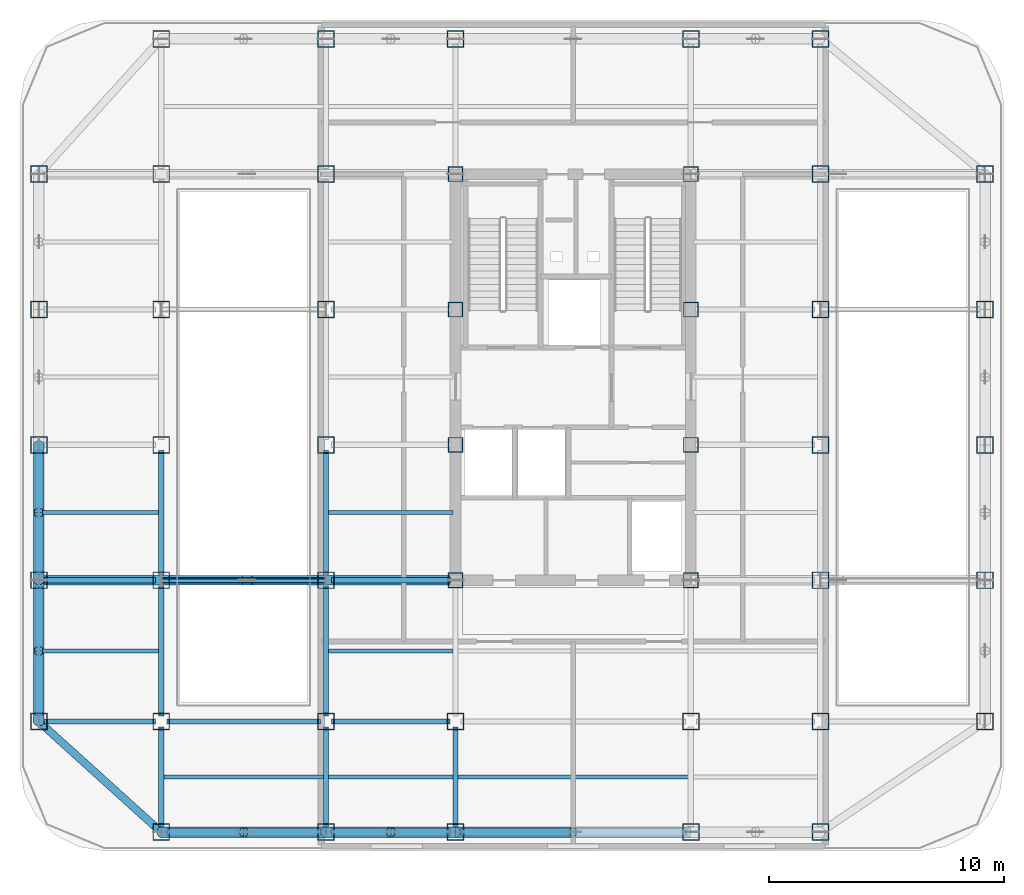
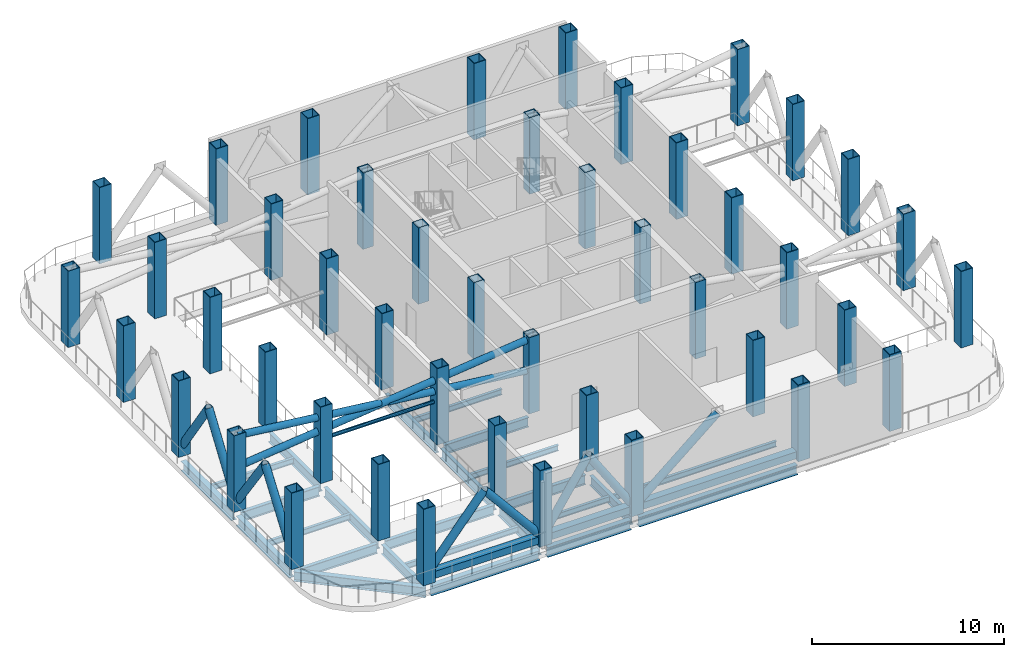
# One storey, part 1 of 10: 45 columns, 25 beams, 16 members.
"""IFC4 building model written with IfcOpenShell, lengths in metres."""

from ifc_helpers import new_model, si_unit, direction, frame, origin, origin_2d, place, context, subcontext, project, spatial, hollow_rectangle, hollow_circle, i_section, extrude, source, transform, mapped, material, material_profile, profile_set, type_object, element, save


model = new_model("IFC4")

# Units and contexts
model_context = context("Model", 3, precision=1e-05, world=origin(), true_north=direction((0.0, 1.0)))
body_context = subcontext(model_context, "Body", "Model", "MODEL_VIEW")
ifc_project = project(units=[si_unit("LENGTHUNIT", "METRE"), si_unit("AREAUNIT", "SQUARE_METRE"), si_unit("VOLUMEUNIT", "CUBIC_METRE"), si_unit("PLANEANGLEUNIT", "RADIAN"), si_unit("MASSUNIT", "GRAM", prefix="KILO")], contexts=[model_context])

# Site, building, storey
site_placement = place(None, origin())
site = spatial("IfcSite", under=ifc_project, at=site_placement, CompositionType="ELEMENT")
building_placement = place(site_placement, origin())
building = spatial("IfcBuilding", under=site, at=building_placement, Name="Kolveth Station Tower", CompositionType="ELEMENT")
storey_placement = place(building_placement, frame((0.0, 0.0, 188.10009765625)))
storey = spatial("IfcBuildingStorey", under=building, at=storey_placement, Name="L53", CompositionType="ELEMENT", Elevation=188.10009765625)

# Columns
ifc_material_1 = material(Name="Steel S355", Category="steel")
ifc_material_profile_1 = material_profile(ifc_material_1, hollow_rectangle(XDim=0.719970703125, YDim=0.719970703125, WallThickness=0.0400390625, at=origin_2d()), Name="BOX720x720x40")
ifc_profile_set_1 = profile_set([ifc_material_profile_1], Name="Steel S355")
column_type_1 = type_object("IfcColumnType", Name="Col_C6", PredefinedType="COLUMN", material=ifc_profile_set_1)
shared_shape_1 = source(origin(), body_context, "Body", "SweptSolid", [
    extrude(hollow_rectangle(XDim=0.719970703125, YDim=0.719970703125, WallThickness=0.0400390625, at=origin_2d()), origin(), (0.0, 0.0, 1.0), 4.849853515625),
])
for number, where, z_axis, x_axis, name in (
    (1, (6.0, 0.800048828125, 0.0), (0.0, 0.0, 1.0), (1.0, 0.0, 0.0), "L53 Tower Column S-X60"),
    (2, (6.0, 34.5, 0.0), (0.0, 0.0, 1.0), (1.0, 0.0, 0.0), "L53 Tower Column N-X60"),
    (3, (13.0, 0.800048828125, 0.0), (0.0, 0.0, 1.0), (1.0, 0.0, 0.0), "L53 Tower Column S-X130"),
    (4, (13.0, 34.5, 0.0), (0.0, 0.0, 1.0), (1.0, 0.0, 0.0), "L53 Tower Column N-X130"),
    (5, (18.5, 0.800048828125, 0.0), (0.0, 0.0, 1.0), (1.0, 0.0, 0.0), "L53 Tower Column S-X185"),
    (6, (18.5, 34.5, 0.0), (0.0, 0.0, 1.0), (1.0, 0.0, 0.0), "L53 Tower Column N-X185"),
    (7, (28.5, 0.800048828125, 0.0), (0.0, 0.0, 1.0), (1.0, 0.0, 0.0), "L53 Tower Column S-X285"),
    (8, (28.5, 34.5, 0.0), (0.0, 0.0, 1.0), (1.0, 0.0, 0.0), "L53 Tower Column N-X285"),
    (9, (34.0, 0.800048828125, 0.0), (0.0, 0.0, 1.0), (1.0, 0.0, 0.0), "L53 Tower Column S-X340"),
    (10, (34.0, 34.5, 0.0), (0.0, 0.0, 1.0), (1.0, 0.0, 0.0), "L53 Tower Column N-X340"),
    (11, (0.800048828125, 5.5, 0.0), (0.0, 0.0, 1.0), (1.0, 0.0, 0.0), "L53 Tower Column W-Y55"),
    (12, (41.0, 5.5, 0.0), (0.0, 0.0, 1.0), (1.0, 0.0, 0.0), "L53 Tower Column E-Y55"),
    (13, (0.800048828125, 11.5, 0.0), (0.0, 0.0, 1.0), (1.0, 0.0, 0.0), "L53 Tower Column W-Y115"),
    (14, (41.0, 11.5, 0.0), (0.0, 0.0, 1.0), (1.0, 0.0, 0.0), "L53 Tower Column E-Y115"),
    (15, (0.800048828125, 17.25, 0.0), (0.0, 0.0, 1.0), (1.0, 0.0, 0.0), "L53 Tower Column W-Y172"),
    (16, (41.0, 17.25, 0.0), (0.0, 0.0, 1.0), (1.0, 0.0, 0.0), "L53 Tower Column E-Y172"),
    (17, (0.800048828125, 23.0, 0.0), (0.0, 0.0, 1.0), (1.0, 0.0, 0.0), "L53 Tower Column W-Y230"),
    (18, (41.0, 23.0, 0.0), (0.0, 0.0, 1.0), (1.0, 0.0, 0.0), "L53 Tower Column E-Y230"),
    (19, (0.800048828125, 28.75, 0.0), (0.0, 0.0, 1.0), (1.0, 0.0, 0.0), "L53 Tower Column W-Y287"),
    (20, (41.0, 28.75, 0.0), (0.0, 0.0, 1.0), (1.0, 0.0, 0.0), "L53 Tower Column E-Y287"),
    (21, (6.0, 5.5, 0.0), (0.0, 0.0, 1.0), (1.0, 0.0, 0.0), "L53 Tower Column G-60-55"),
    (22, (6.0, 11.5, 0.0), (0.0, 0.0, 1.0), (1.0, 0.0, 0.0), "L53 Tower Column G-60-115"),
    (23, (6.0, 17.25, 0.0), (0.0, 0.0, 1.0), (1.0, 0.0, 0.0), "L53 Tower Column G-60-172"),
    (24, (6.0, 23.0, 0.0), (0.0, 0.0, 1.0), (1.0, 0.0, 0.0), "L53 Tower Column G-60-230"),
    (25, (6.0, 28.75, 0.0), (0.0, 0.0, 1.0), (1.0, 0.0, 0.0), "L53 Tower Column G-60-287"),
    (26, (13.0, 5.5, 0.0), (0.0, 0.0, 1.0), (1.0, 0.0, 0.0), "L53 Tower Column G-130-55"),
    (27, (13.0, 11.5, 0.0), (0.0, 0.0, 1.0), (1.0, 0.0, 0.0), "L53 Tower Column G-130-115"),
    (28, (13.0, 17.25, 0.0), (0.0, 0.0, 1.0), (1.0, 0.0, 0.0), "L53 Tower Column G-130-172"),
    (29, (13.0, 23.0, 0.0), (0.0, 0.0, 1.0), (1.0, 0.0, 0.0), "L53 Tower Column G-130-230"),
    (30, (13.0, 28.75, 0.0), (0.0, 0.0, 1.0), (1.0, 0.0, 0.0), "L53 Tower Column G-130-287"),
    (31, (18.5, 5.5, 0.0), (0.0, 0.0, 1.0), (1.0, 0.0, 0.0), "L53 Tower Column G-185-55"),
    (32, (28.5, 5.5, 0.0), (0.0, 0.0, 1.0), (1.0, 0.0, 0.0), "L53 Tower Column G-285-55"),
    (33, (34.0, 5.5, 0.0), (0.0, 0.0, 1.0), (1.0, 0.0, 0.0), "L53 Tower Column G-340-55"),
    (34, (34.0, 11.5, 0.0), (0.0, 0.0, 1.0), (1.0, 0.0, 0.0), "L53 Tower Column G-340-115"),
    (35, (34.0, 17.25, 0.0), (0.0, 0.0, 1.0), (1.0, 0.0, 0.0), "L53 Tower Column G-340-172"),
    (36, (34.0, 23.0, 0.0), (0.0, 0.0, 1.0), (1.0, 0.0, 0.0), "L53 Tower Column G-340-230"),
    (37, (34.0, 28.75, 0.0), (0.0, 0.0, 1.0), (1.0, 0.0, 0.0), "L53 Tower Column G-340-287"),
):
    element("IfcColumn", number, at=place(storey_placement, frame(where, z_axis=z_axis, x_axis=x_axis)), inside=storey, type_object=column_type_1, Name=name, PredefinedType="COLUMN", context=body_context, shape_type="MappedRepresentation", body=[
        mapped(shared_shape_1, transform((0.0, 0.0, 0.0), x_axis=(1.0, 0.0, 0.0), y_axis=(0.0, 1.0, 0.0), z_axis=(0.0, 0.0, 1.0), scale=1.0)),
    ])
ifc_material_profile_2 = material_profile(ifc_material_1, hollow_rectangle(XDim=0.639892578125, YDim=0.639892578125, WallThickness=0.034912109375, at=origin_2d()), Name="BOX640x640x35")
ifc_profile_set_2 = profile_set([ifc_material_profile_2], Name="Steel S355")
column_type_2 = type_object("IfcColumnType", Name="Col_C7", PredefinedType="COLUMN", material=ifc_profile_set_2)
shared_shape_2 = source(origin(), body_context, "Body", "SweptSolid", [
    extrude(hollow_rectangle(XDim=0.639892578125, YDim=0.639892578125, WallThickness=0.034912109375, at=origin_2d()), origin(), (0.0, 0.0, 1.0), 4.849853515625),
])
for number, where, z_axis, x_axis, name in (
    (38, (18.5, 11.5, 0.0), (0.0, 0.0, 1.0), (1.0, 0.0, 0.0), "L53 Tower Column G-185-115"),
    (39, (18.5, 17.25, 0.0), (0.0, 0.0, 1.0), (1.0, 0.0, 0.0), "L53 Tower Column G-185-172"),
    (40, (18.5, 23.0, 0.0), (0.0, 0.0, 1.0), (1.0, 0.0, 0.0), "L53 Tower Column G-185-230"),
    (41, (18.5, 28.75, 0.0), (0.0, 0.0, 1.0), (1.0, 0.0, 0.0), "L53 Tower Column G-185-287"),
    (42, (28.5, 11.5, 0.0), (0.0, 0.0, 1.0), (1.0, 0.0, 0.0), "L53 Tower Column G-285-115"),
    (43, (28.5, 17.25, 0.0), (0.0, 0.0, 1.0), (1.0, 0.0, 0.0), "L53 Tower Column G-285-172"),
    (44, (28.5, 23.0, 0.0), (0.0, 0.0, 1.0), (1.0, 0.0, 0.0), "L53 Tower Column G-285-230"),
    (45, (28.5, 28.75, 0.0), (0.0, 0.0, 1.0), (1.0, 0.0, 0.0), "L53 Tower Column G-285-287"),
):
    element("IfcColumn", number, at=place(storey_placement, frame(where, z_axis=z_axis, x_axis=x_axis)), inside=storey, type_object=column_type_2, Name=name, PredefinedType="COLUMN", context=body_context, shape_type="MappedRepresentation", body=[
        mapped(shared_shape_2, transform((0.0, 0.0, 0.0), x_axis=(1.0, 0.0, 0.0), y_axis=(0.0, 1.0, 0.0), z_axis=(0.0, 0.0, 1.0), scale=1.0)),
    ])

# Beams
ifc_material_profile_3 = material_profile(ifc_material_1, i_section(OverallWidth=0.323974609375, OverallDepth=0.611083984375, WebThickness=0.0126953125, FlangeThickness=0.01904296875, at=origin_2d()), Name="W610x155")
ifc_profile_set_3 = profile_set([ifc_material_profile_3], Name="Steel S355")
beam_type_1 = type_object("IfcBeamType", Name="Beam_SP2", PredefinedType="SPANDREL", material=ifc_profile_set_3)
shared_shape_3 = source(origin(), body_context, "Body", "SweptSolid", [
    extrude(i_section(OverallWidth=0.323974609375, OverallDepth=0.611083984375, WebThickness=0.0126953125, FlangeThickness=0.01904296875, at=origin_2d()), origin(), (0.0, 0.0, 1.0), 7.00927734375),
])
beam_1_placement = place(storey_placement, frame((0.800048828125, 5.5, -0.66552734375), z_axis=(0.741874009795, -0.670539300557, 0.0), x_axis=(0.670539300557, 0.741874009795, 0.0)))
element("IfcBeam", 46, at=beam_1_placement, inside=storey, type_object=beam_type_1, Name="L53 Corner Edge Girder BM-L53-CNR-SW", PredefinedType="SPANDREL", context=body_context, shape_type="MappedRepresentation", body=[
    mapped(shared_shape_3, transform((0.0, 0.0, 0.0), x_axis=(1.0, 0.0, 0.0), y_axis=(0.0, 1.0, 0.0), z_axis=(0.0, 0.0, 1.0), scale=1.0)),
])
shared_shape_4 = source(origin(), body_context, "Body", "SweptSolid", [
    extrude(i_section(OverallWidth=0.323974609375, OverallDepth=0.611083984375, WebThickness=0.0126953125, FlangeThickness=0.01904296875, at=origin_2d()), origin(), (0.0, 0.0, 1.0), 6.52001953125),
])
beam_2_placement = place(storey_placement, frame((6.239990234375, 0.800048828125, -0.66552734375), z_axis=(1.0, 0.0, 0.0), x_axis=(0.0, 1.0, 0.0)))
element("IfcBeam", 47, at=beam_2_placement, inside=storey, type_object=beam_type_1, Name="L53 Perimeter Spandrel BM-L53-PS-1", PredefinedType="SPANDREL", context=body_context, shape_type="MappedRepresentation", body=[
    mapped(shared_shape_4, transform((0.0, 0.0, 0.0), x_axis=(1.0, 0.0, 0.0), y_axis=(0.0, 1.0, 0.0), z_axis=(0.0, 0.0, 1.0), scale=1.0)),
])
shared_shape_5 = source(origin(), body_context, "Body", "SweptSolid", [
    extrude(i_section(OverallWidth=0.323974609375, OverallDepth=0.611083984375, WebThickness=0.0126953125, FlangeThickness=0.01904296875, at=origin_2d()), origin(), (0.0, 0.0, 1.0), 5.02001953125),
])
beam_3_placement = place(storey_placement, frame((13.239990234375, 0.800048828125, -0.66552734375), z_axis=(1.0, 0.0, 0.0), x_axis=(0.0, 1.0, 0.0)))
element("IfcBeam", 48, at=beam_3_placement, inside=storey, type_object=beam_type_1, Name="L53 Perimeter Spandrel BM-L53-PS-2", PredefinedType="SPANDREL", context=body_context, shape_type="MappedRepresentation", body=[
    mapped(shared_shape_5, transform((0.0, 0.0, 0.0), x_axis=(1.0, 0.0, 0.0), y_axis=(0.0, 1.0, 0.0), z_axis=(0.0, 0.0, 1.0), scale=1.0)),
])
shared_shape_6 = source(origin(), body_context, "Body", "SweptSolid", [
    extrude(i_section(OverallWidth=0.323974609375, OverallDepth=0.611083984375, WebThickness=0.0126953125, FlangeThickness=0.01904296875, at=origin_2d()), origin(), (0.0, 0.0, 1.0), 9.52001953125),
])
beam_4_placement = place(storey_placement, frame((18.739990234375, 0.800048828125, -0.66552734375), z_axis=(1.0, 0.0, 0.0), x_axis=(0.0, 1.0, 0.0)))
element("IfcBeam", 49, at=beam_4_placement, inside=storey, type_object=beam_type_1, Name="L53 Perimeter Spandrel BM-L53-PS-3", PredefinedType="SPANDREL", context=body_context, shape_type="MappedRepresentation", body=[
    mapped(shared_shape_6, transform((0.0, 0.0, 0.0), x_axis=(1.0, 0.0, 0.0), y_axis=(0.0, 1.0, 0.0), z_axis=(0.0, 0.0, 1.0), scale=1.0)),
])
shared_shape_7 = source(origin(), body_context, "Body", "SweptSolid", [
    extrude(i_section(OverallWidth=0.323974609375, OverallDepth=0.611083984375, WebThickness=0.0126953125, FlangeThickness=0.01904296875, at=origin_2d()), origin(), (0.0, 0.0, 1.0), 5.52001953125),
])
beam_5_placement = place(storey_placement, frame((0.800048828125, 5.739990234375, -0.66552734375), z_axis=(0.0, 1.0, 0.0), x_axis=(-1.0, 0.0, 0.0)))
element("IfcBeam", 50, at=beam_5_placement, inside=storey, type_object=beam_type_1, Name="L53 Perimeter Spandrel BM-L53-PW-1", PredefinedType="SPANDREL", context=body_context, shape_type="MappedRepresentation", body=[
    mapped(shared_shape_7, transform((0.0, 0.0, 0.0), x_axis=(1.0, 0.0, 0.0), y_axis=(0.0, 1.0, 0.0), z_axis=(0.0, 0.0, 1.0), scale=1.0)),
])
shared_shape_8 = source(origin(), body_context, "Body", "SweptSolid", [
    extrude(i_section(OverallWidth=0.323974609375, OverallDepth=0.611083984375, WebThickness=0.0126953125, FlangeThickness=0.01904296875, at=origin_2d()), origin(), (0.0, 0.0, 1.0), 5.27001953125),
])
beam_6_placement = place(storey_placement, frame((0.800048828125, 11.739990234375, -0.66552734375), z_axis=(0.0, 1.0, 0.0), x_axis=(-1.0, 0.0, 0.0)))
element("IfcBeam", 51, at=beam_6_placement, inside=storey, type_object=beam_type_1, Name="L53 Perimeter Spandrel BM-L53-PW-2", PredefinedType="SPANDREL", context=body_context, shape_type="MappedRepresentation", body=[
    mapped(shared_shape_8, transform((0.0, 0.0, 0.0), x_axis=(1.0, 0.0, 0.0), y_axis=(0.0, 1.0, 0.0), z_axis=(0.0, 0.0, 1.0), scale=1.0)),
])
ifc_material_profile_4 = material_profile(ifc_material_1, i_section(OverallWidth=0.22900390625, OverallDepth=0.612060546875, WebThickness=0.011962890625, FlangeThickness=0.01953125, at=origin_2d()), Name="W610x125")
ifc_profile_set_4 = profile_set([ifc_material_profile_4], Name="Steel S355")
beam_type_2 = type_object("IfcBeamType", Name="Beam_B5", PredefinedType="BEAM", material=ifc_profile_set_4)
shared_shape_9 = source(origin(), body_context, "Body", "SweptSolid", [
    extrude(i_section(OverallWidth=0.22900390625, OverallDepth=0.612060546875, WebThickness=0.011962890625, FlangeThickness=0.01953125, at=origin_2d()), origin(), (0.0, 0.0, 1.0), 4.719970703125),
])
for number, where, z_axis, x_axis, name in (
    (52, (1.0400390625, 5.5, -0.666015625), (1.0, 0.0, 0.0), (0.0, 1.0, 0.0), "L53 Primary Girder BM-L53-GY55-1"),
    (53, (1.0400390625, 11.5, -0.666015625), (1.0, 0.0, 0.0), (0.0, 1.0, 0.0), "L53 Primary Girder BM-L53-GY115-1"),
):
    element("IfcBeam", number, at=place(storey_placement, frame(where, z_axis=z_axis, x_axis=x_axis)), inside=storey, type_object=beam_type_2, Name=name, PredefinedType="BEAM", context=body_context, shape_type="MappedRepresentation", body=[
        mapped(shared_shape_9, transform((0.0, 0.0, 0.0), x_axis=(1.0, 0.0, 0.0), y_axis=(0.0, 1.0, 0.0), z_axis=(0.0, 0.0, 1.0), scale=1.0)),
    ])
shared_shape_10 = source(origin(), body_context, "Body", "SweptSolid", [
    extrude(i_section(OverallWidth=0.22900390625, OverallDepth=0.612060546875, WebThickness=0.011962890625, FlangeThickness=0.01953125, at=origin_2d()), origin(), (0.0, 0.0, 1.0), 6.52001953125),
])
beam_7_placement = place(storey_placement, frame((6.239990234375, 5.5, -0.666015625), z_axis=(1.0, 0.0, 0.0), x_axis=(0.0, 1.0, 0.0)))
element("IfcBeam", 54, at=beam_7_placement, inside=storey, type_object=beam_type_2, Name="L53 Primary Girder BM-L53-GY55-2", PredefinedType="BEAM", context=body_context, shape_type="MappedRepresentation", body=[
    mapped(shared_shape_10, transform((0.0, 0.0, 0.0), x_axis=(1.0, 0.0, 0.0), y_axis=(0.0, 1.0, 0.0), z_axis=(0.0, 0.0, 1.0), scale=1.0)),
])
shared_shape_11 = source(origin(), body_context, "Body", "SweptSolid", [
    extrude(i_section(OverallWidth=0.22900390625, OverallDepth=0.612060546875, WebThickness=0.011962890625, FlangeThickness=0.01953125, at=origin_2d()), origin(), (0.0, 0.0, 1.0), 5.02001953125),
])
beam_8_placement = place(storey_placement, frame((13.239990234375, 5.5, -0.666015625), z_axis=(1.0, 0.0, 0.0), x_axis=(0.0, 1.0, 0.0)))
element("IfcBeam", 55, at=beam_8_placement, inside=storey, type_object=beam_type_2, Name="L53 Primary Girder BM-L53-GY55-3", PredefinedType="BEAM", context=body_context, shape_type="MappedRepresentation", body=[
    mapped(shared_shape_11, transform((0.0, 0.0, 0.0), x_axis=(1.0, 0.0, 0.0), y_axis=(0.0, 1.0, 0.0), z_axis=(0.0, 0.0, 1.0), scale=1.0)),
])
shared_shape_12 = source(origin(), body_context, "Body", "SweptSolid", [
    extrude(i_section(OverallWidth=0.22900390625, OverallDepth=0.612060546875, WebThickness=0.011962890625, FlangeThickness=0.01953125, at=origin_2d()), origin(), (0.0, 0.0, 1.0), 5.06005859375),
])
beam_9_placement = place(storey_placement, frame((13.239990234375, 11.5, -0.666015625), z_axis=(1.0, 0.0, 0.0), x_axis=(0.0, 1.0, 0.0)))
element("IfcBeam", 56, at=beam_9_placement, inside=storey, type_object=beam_type_2, Name="L53 Primary Girder BM-L53-GY115-3", PredefinedType="BEAM", context=body_context, shape_type="MappedRepresentation", body=[
    mapped(shared_shape_12, transform((0.0, 0.0, 0.0), x_axis=(1.0, 0.0, 0.0), y_axis=(0.0, 1.0, 0.0), z_axis=(0.0, 0.0, 1.0), scale=1.0)),
])
shared_shape_13 = source(origin(), body_context, "Body", "SweptSolid", [
    extrude(i_section(OverallWidth=0.22900390625, OverallDepth=0.612060546875, WebThickness=0.011962890625, FlangeThickness=0.01953125, at=origin_2d()), origin(), (0.0, 0.0, 1.0), 4.219970703125),
])
for number, where, z_axis, x_axis, name in (
    (57, (6.0, 1.0400390625, -0.666015625), (0.0, 1.0, 0.0), (-1.0, 0.0, 0.0), "L53 Primary Girder BM-L53-GX60-1"),
    (58, (13.0, 1.0400390625, -0.666015625), (0.0, 1.0, 0.0), (-1.0, 0.0, 0.0), "L53 Primary Girder BM-L53-GX130-1"),
    (59, (18.5, 1.0400390625, -0.666015625), (0.0, 1.0, 0.0), (-1.0, 0.0, 0.0), "L53 Primary Girder BM-L53-GX185-1"),
):
    element("IfcBeam", number, at=place(storey_placement, frame(where, z_axis=z_axis, x_axis=x_axis)), inside=storey, type_object=beam_type_2, Name=name, PredefinedType="BEAM", context=body_context, shape_type="MappedRepresentation", body=[
        mapped(shared_shape_13, transform((0.0, 0.0, 0.0), x_axis=(1.0, 0.0, 0.0), y_axis=(0.0, 1.0, 0.0), z_axis=(0.0, 0.0, 1.0), scale=1.0)),
    ])
shared_shape_14 = source(origin(), body_context, "Body", "SweptSolid", [
    extrude(i_section(OverallWidth=0.22900390625, OverallDepth=0.612060546875, WebThickness=0.011962890625, FlangeThickness=0.01953125, at=origin_2d()), origin(), (0.0, 0.0, 1.0), 5.52001953125),
])
for number, where, z_axis, x_axis, name in (
    (60, (6.0, 5.739990234375, -0.666015625), (0.0, 1.0, 0.0), (-1.0, 0.0, 0.0), "L53 Primary Girder BM-L53-GX60-2"),
    (61, (13.0, 5.739990234375, -0.666015625), (0.0, 1.0, 0.0), (-1.0, 0.0, 0.0), "L53 Primary Girder BM-L53-GX130-2"),
):
    element("IfcBeam", number, at=place(storey_placement, frame(where, z_axis=z_axis, x_axis=x_axis)), inside=storey, type_object=beam_type_2, Name=name, PredefinedType="BEAM", context=body_context, shape_type="MappedRepresentation", body=[
        mapped(shared_shape_14, transform((0.0, 0.0, 0.0), x_axis=(1.0, 0.0, 0.0), y_axis=(0.0, 1.0, 0.0), z_axis=(0.0, 0.0, 1.0), scale=1.0)),
    ])
shared_shape_15 = source(origin(), body_context, "Body", "SweptSolid", [
    extrude(i_section(OverallWidth=0.22900390625, OverallDepth=0.612060546875, WebThickness=0.011962890625, FlangeThickness=0.01953125, at=origin_2d()), origin(), (0.0, 0.0, 1.0), 5.27001953125),
])
for number, where, z_axis, x_axis, name in (
    (62, (6.0, 11.739990234375, -0.666015625), (0.0, 1.0, 0.0), (-1.0, 0.0, 0.0), "L53 Primary Girder BM-L53-GX60-3"),
    (63, (13.0, 11.739990234375, -0.666015625), (0.0, 1.0, 0.0), (-1.0, 0.0, 0.0), "L53 Primary Girder BM-L53-GX130-3"),
):
    element("IfcBeam", number, at=place(storey_placement, frame(where, z_axis=z_axis, x_axis=x_axis)), inside=storey, type_object=beam_type_2, Name=name, PredefinedType="BEAM", context=body_context, shape_type="MappedRepresentation", body=[
        mapped(shared_shape_15, transform((0.0, 0.0, 0.0), x_axis=(1.0, 0.0, 0.0), y_axis=(0.0, 1.0, 0.0), z_axis=(0.0, 0.0, 1.0), scale=1.0)),
    ])
ifc_material_profile_5 = material_profile(ifc_material_1, i_section(OverallWidth=0.1708984375, OverallDepth=0.35205078125, WebThickness=0.0068359375, FlangeThickness=0.009765625, at=origin_2d()), Name="W360x44")
ifc_profile_set_5 = profile_set([ifc_material_profile_5], Name="Steel S355")
beam_type_3 = type_object("IfcBeamType", Name="Beam_J2", PredefinedType="JOIST", material=ifc_profile_set_5)
shared_shape_16 = source(origin(), body_context, "Body", "SweptSolid", [
    extrude(i_section(OverallWidth=0.1708984375, OverallDepth=0.35205078125, WebThickness=0.0068359375, FlangeThickness=0.009765625, at=origin_2d()), origin(), (0.0, 0.0, 1.0), 4.927490234375),
])
for number, where, z_axis, x_axis, name in (
    (64, (0.9599609375, 8.5, -0.5361328125), (1.0, 0.0, 0.0), (0.0, 1.0, 0.0), "L53 Secondary Joist JST-L53-1-2"),
    (65, (0.9599609375, 14.375, -0.5361328125), (1.0, 0.0, 0.0), (0.0, 1.0, 0.0), "L53 Secondary Joist JST-L53-1-3"),
):
    element("IfcBeam", number, at=place(storey_placement, frame(where, z_axis=z_axis, x_axis=x_axis)), inside=storey, type_object=beam_type_3, Name=name, PredefinedType="JOIST", context=body_context, shape_type="MappedRepresentation", body=[
        mapped(shared_shape_16, transform((0.0, 0.0, 0.0), x_axis=(1.0, 0.0, 0.0), y_axis=(0.0, 1.0, 0.0), z_axis=(0.0, 0.0, 1.0), scale=1.0)),
    ])
shared_shape_17 = source(origin(), body_context, "Body", "SweptSolid", [
    extrude(i_section(OverallWidth=0.1708984375, OverallDepth=0.35205078125, WebThickness=0.0068359375, FlangeThickness=0.009765625, at=origin_2d()), origin(), (0.0, 0.0, 1.0), 6.77490234375),
])
beam_10_placement = place(storey_placement, frame((6.112548828125, 3.14990234375, -0.5361328125), z_axis=(1.0, 0.0, 0.0), x_axis=(0.0, 1.0, 0.0)))
element("IfcBeam", 66, at=beam_10_placement, inside=storey, type_object=beam_type_3, Name="L53 Secondary Joist JST-L53-2-1", PredefinedType="JOIST", context=body_context, shape_type="MappedRepresentation", body=[
    mapped(shared_shape_17, transform((0.0, 0.0, 0.0), x_axis=(1.0, 0.0, 0.0), y_axis=(0.0, 1.0, 0.0), z_axis=(0.0, 0.0, 1.0), scale=1.0)),
])
shared_shape_18 = source(origin(), body_context, "Body", "SweptSolid", [
    extrude(i_section(OverallWidth=0.1708984375, OverallDepth=0.35205078125, WebThickness=0.0068359375, FlangeThickness=0.009765625, at=origin_2d()), origin(), (0.0, 0.0, 1.0), 5.27490234375),
])
for number, where, z_axis, x_axis, name in (
    (67, (13.112548828125, 3.14990234375, -0.5361328125), (1.0, 0.0, 0.0), (0.0, 1.0, 0.0), "L53 Secondary Joist JST-L53-3-1"),
    (68, (13.112548828125, 8.5, -0.5361328125), (1.0, 0.0, 0.0), (0.0, 1.0, 0.0), "L53 Secondary Joist JST-L53-3-2"),
    (69, (13.112548828125, 14.375, -0.5361328125), (1.0, 0.0, 0.0), (0.0, 1.0, 0.0), "L53 Secondary Joist JST-L53-3-3"),
):
    element("IfcBeam", number, at=place(storey_placement, frame(where, z_axis=z_axis, x_axis=x_axis)), inside=storey, type_object=beam_type_3, Name=name, PredefinedType="JOIST", context=body_context, shape_type="MappedRepresentation", body=[
        mapped(shared_shape_18, transform((0.0, 0.0, 0.0), x_axis=(1.0, 0.0, 0.0), y_axis=(0.0, 1.0, 0.0), z_axis=(0.0, 0.0, 1.0), scale=1.0)),
    ])
shared_shape_19 = source(origin(), body_context, "Body", "SweptSolid", [
    extrude(i_section(OverallWidth=0.1708984375, OverallDepth=0.35205078125, WebThickness=0.0068359375, FlangeThickness=0.009765625, at=origin_2d()), origin(), (0.0, 0.0, 1.0), 9.77490234375),
])
beam_11_placement = place(storey_placement, frame((18.612548828125, 3.14990234375, -0.5361328125), z_axis=(1.0, 0.0, 0.0), x_axis=(0.0, 1.0, 0.0)))
element("IfcBeam", 70, at=beam_11_placement, inside=storey, type_object=beam_type_3, Name="L53 Secondary Joist JST-L53-4-1", PredefinedType="JOIST", context=body_context, shape_type="MappedRepresentation", body=[
    mapped(shared_shape_19, transform((0.0, 0.0, 0.0), x_axis=(1.0, 0.0, 0.0), y_axis=(0.0, 1.0, 0.0), z_axis=(0.0, 0.0, 1.0), scale=1.0)),
])

# Members
ifc_material_2 = material(Name="Steel S460", Category="steel")
ifc_material_profile_6 = material_profile(ifc_material_2, hollow_rectangle(XDim=0.449951171875, YDim=0.449951171875, WallThickness=0.02490234375, at=origin_2d()), Name="HSS450x450x25")
ifc_profile_set_6 = profile_set([ifc_material_profile_6], Name="Steel S460")
member_type_1 = type_object("IfcMemberType", Name="Mem_CH1", PredefinedType="CHORD", material=ifc_profile_set_6)
shared_shape_20 = source(origin(), body_context, "Body", "SweptSolid", [
    extrude(hollow_rectangle(XDim=0.449951171875, YDim=0.449951171875, WallThickness=0.02490234375, at=origin_2d()), origin(), (0.0, 0.0, 1.0), 7.0),
])
member_1_placement = place(storey_placement, frame((6.0, 0.800048828125, 0.349853515625), z_axis=(1.0, 0.0, 0.0), x_axis=(0.0, 1.0, 0.0)))
element("IfcMember", 71, at=member_1_placement, inside=storey, type_object=member_type_1, Name="L53 Belt Truss Bottom Chord S1", PredefinedType="CHORD", context=body_context, shape_type="MappedRepresentation", body=[
    mapped(shared_shape_20, transform((0.0, 0.0, 0.0), x_axis=(1.0, 0.0, 0.0), y_axis=(0.0, 1.0, 0.0), z_axis=(0.0, 0.0, 1.0), scale=1.0)),
])
shared_shape_21 = source(origin(), body_context, "Body", "SweptSolid", [
    extrude(hollow_rectangle(XDim=0.449951171875, YDim=0.449951171875, WallThickness=0.02490234375, at=origin_2d()), origin(), (0.0, 0.0, 1.0), 5.5),
])
member_2_placement = place(storey_placement, frame((13.0, 0.800048828125, 0.349853515625), z_axis=(1.0, 0.0, 0.0), x_axis=(0.0, 1.0, 0.0)))
element("IfcMember", 72, at=member_2_placement, inside=storey, type_object=member_type_1, Name="L53 Belt Truss Bottom Chord S2", PredefinedType="CHORD", context=body_context, shape_type="MappedRepresentation", body=[
    mapped(shared_shape_21, transform((0.0, 0.0, 0.0), x_axis=(1.0, 0.0, 0.0), y_axis=(0.0, 1.0, 0.0), z_axis=(0.0, 0.0, 1.0), scale=1.0)),
])
shared_shape_22 = source(origin(), body_context, "Body", "SweptSolid", [
    extrude(hollow_rectangle(XDim=0.449951171875, YDim=0.449951171875, WallThickness=0.02490234375, at=origin_2d()), origin(), (0.0, 0.0, 1.0), 10.0),
])
member_3_placement = place(storey_placement, frame((18.5, 0.800048828125, 0.349853515625), z_axis=(1.0, 0.0, 0.0), x_axis=(0.0, 1.0, 0.0)))
element("IfcMember", 73, at=member_3_placement, inside=storey, type_object=member_type_1, Name="L53 Belt Truss Bottom Chord S3", PredefinedType="CHORD", context=body_context, shape_type="MappedRepresentation", body=[
    mapped(shared_shape_22, transform((0.0, 0.0, 0.0), x_axis=(1.0, 0.0, 0.0), y_axis=(0.0, 1.0, 0.0), z_axis=(0.0, 0.0, 1.0), scale=1.0)),
])
ifc_material_profile_7 = material_profile(ifc_material_2, hollow_circle(Radius=0.228515625, WallThickness=0.02197265625, at=origin_2d()), Name="CHS457x22")
ifc_profile_set_7 = profile_set([ifc_material_profile_7], Name="Steel S460")
member_type_2 = type_object("IfcMemberType", Name="Mem_BR2", PredefinedType="BRACE", material=ifc_profile_set_7)
shared_shape_23 = source(origin(), body_context, "Body", "SweptSolid", [
    extrude(hollow_circle(Radius=0.228515625, WallThickness=0.02197265625, at=origin_2d()), origin(), (0.0, 0.0, 1.0), 5.467041015625),
])
for number, where, z_axis, x_axis, name in (
    (74, (6.0, 0.800048828125, 0.349853515625), (0.64018879205, 0.0, 0.768217619255), (0.0, 1.0, 0.0), "L53 Belt Truss Brace S1A"),
    (75, (13.0, 0.800048828125, 0.349853515625), (-0.64018879205, 0.0, 0.768217619255), (0.0, -1.0, 0.0), "L53 Belt Truss Brace S1B"),
):
    element("IfcMember", number, at=place(storey_placement, frame(where, z_axis=z_axis, x_axis=x_axis)), inside=storey, type_object=member_type_2, Name=name, PredefinedType="BRACE", context=body_context, shape_type="MappedRepresentation", body=[
        mapped(shared_shape_23, transform((0.0, 0.0, 0.0), x_axis=(1.0, 0.0, 0.0), y_axis=(0.0, 1.0, 0.0), z_axis=(0.0, 0.0, 1.0), scale=1.0)),
    ])
shared_shape_24 = source(origin(), body_context, "Body", "SweptSolid", [
    extrude(hollow_circle(Radius=0.228515625, WallThickness=0.02197265625, at=origin_2d()), origin(), (0.0, 0.0, 1.0), 5.020263671875),
])
for number, where, z_axis, x_axis, name in (
    (76, (13.0, 0.800048828125, 0.349853515625), (0.547790398843, 0.0, 0.836615610023), (0.0, 1.0, 0.0), "L53 Belt Truss Brace S2A"),
    (77, (18.5, 0.800048828125, 0.349853515625), (-0.547790398843, 0.0, 0.836615610023), (0.0, -1.0, 0.0), "L53 Belt Truss Brace S2B"),
):
    element("IfcMember", number, at=place(storey_placement, frame(where, z_axis=z_axis, x_axis=x_axis)), inside=storey, type_object=member_type_2, Name=name, PredefinedType="BRACE", context=body_context, shape_type="MappedRepresentation", body=[
        mapped(shared_shape_24, transform((0.0, 0.0, 0.0), x_axis=(1.0, 0.0, 0.0), y_axis=(0.0, 1.0, 0.0), z_axis=(0.0, 0.0, 1.0), scale=1.0)),
    ])
shared_shape_25 = source(origin(), body_context, "Body", "SweptSolid", [
    extrude(hollow_circle(Radius=0.228515625, WallThickness=0.02197265625, at=origin_2d()), origin(), (0.0, 0.0, 1.0), 6.52978515625),
])
member_4_placement = place(storey_placement, frame((18.5, 0.800048828125, 0.349853515625), z_axis=(0.765708547471, 0.0, 0.643187702253), x_axis=(0.0, 1.0, 0.0)))
element("IfcMember", 78, at=member_4_placement, inside=storey, type_object=member_type_2, Name="L53 Belt Truss Brace S3A", PredefinedType="BRACE", context=body_context, shape_type="MappedRepresentation", body=[
    mapped(shared_shape_25, transform((0.0, 0.0, 0.0), x_axis=(1.0, 0.0, 0.0), y_axis=(0.0, 1.0, 0.0), z_axis=(0.0, 0.0, 1.0), scale=1.0)),
])
shared_shape_26 = source(origin(), body_context, "Body", "SweptSolid", [
    extrude(hollow_circle(Radius=0.228515625, WallThickness=0.02197265625, at=origin_2d()), origin(), (0.0, 0.0, 1.0), 5.161376953125),
])
for number, where, z_axis, x_axis, name in (
    (79, (0.800048828125, 5.5, 0.349853515625), (0.0, 0.581242668191, 0.813730275137), (-1.0, 0.0, 0.0), "L53 Belt Truss Brace W1A"),
    (80, (0.800048828125, 11.5, 0.349853515625), (0.0, -0.581242668191, 0.813730275137), (1.0, 0.0, 0.0), "L53 Belt Truss Brace W1B"),
):
    element("IfcMember", number, at=place(storey_placement, frame(where, z_axis=z_axis, x_axis=x_axis)), inside=storey, type_object=member_type_2, Name=name, PredefinedType="BRACE", context=body_context, shape_type="MappedRepresentation", body=[
        mapped(shared_shape_26, transform((0.0, 0.0, 0.0), x_axis=(1.0, 0.0, 0.0), y_axis=(0.0, 1.0, 0.0), z_axis=(0.0, 0.0, 1.0), scale=1.0)),
    ])
shared_shape_27 = source(origin(), body_context, "Body", "SweptSolid", [
    extrude(hollow_circle(Radius=0.228515625, WallThickness=0.02197265625, at=origin_2d()), origin(), (0.0, 0.0, 1.0), 5.089599609375),
])
for number, where, z_axis, x_axis, name in (
    (81, (0.800048828125, 11.5, 0.349853515625), (0.0, 0.564864458726, 0.82518370274), (-1.0, 0.0, 0.0), "L53 Belt Truss Brace W2A"),
    (82, (0.800048828125, 17.25, 0.349853515625), (0.0, -0.564864458726, 0.82518370274), (1.0, 0.0, 0.0), "L53 Belt Truss Brace W2B"),
):
    element("IfcMember", number, at=place(storey_placement, frame(where, z_axis=z_axis, x_axis=x_axis)), inside=storey, type_object=member_type_2, Name=name, PredefinedType="BRACE", context=body_context, shape_type="MappedRepresentation", body=[
        mapped(shared_shape_27, transform((0.0, 0.0, 0.0), x_axis=(1.0, 0.0, 0.0), y_axis=(0.0, 1.0, 0.0), z_axis=(0.0, 0.0, 1.0), scale=1.0)),
    ])
ifc_material_profile_8 = material_profile(ifc_material_1, hollow_circle(Radius=0.202880859375, WallThickness=0.02001953125, at=origin_2d()), Name="CHS406x20")
ifc_profile_set_8 = profile_set([ifc_material_profile_8], Name="Steel S355")
member_type_3 = type_object("IfcMemberType", Name="Mem_BR3", PredefinedType="BRACE", material=ifc_profile_set_8)
shared_shape_28 = source(origin(), body_context, "Body", "SweptSolid", [
    extrude(hollow_circle(Radius=0.202880859375, WallThickness=0.02001953125, at=origin_2d()), origin(), (0.0, 0.0, 1.0), 17.8125),
])
member_5_placement = place(storey_placement, frame((0.800048828125, 11.5, 2.5498046875), z_axis=(0.993676591147, 0.0, 0.112280150549), x_axis=(0.0, 1.0, 0.0)))
element("IfcMember", 83, at=member_5_placement, inside=storey, type_object=member_type_3, Name="L53 Outrigger Continuous Diagonal 1A", PredefinedType="BRACE", context=body_context, shape_type="MappedRepresentation", body=[
    mapped(shared_shape_28, transform((0.0, 0.0, 0.0), x_axis=(1.0, 0.0, 0.0), y_axis=(0.0, 1.0, 0.0), z_axis=(0.0, 0.0, 1.0), scale=1.0)),
])
shared_shape_29 = source(origin(), body_context, "Body", "SweptSolid", [
    extrude(hollow_circle(Radius=0.202880859375, WallThickness=0.02001953125, at=origin_2d()), origin(), (0.0, 0.0, 1.0), 8.686279296875),
])
for number, where, z_axis, x_axis, name in (
    (84, (18.5, 11.5, 2.5498046875), (-0.993676005609, 0.0, 0.112285332421), (0.0, -1.0, 0.0), "L53 Outrigger Split Lower Diagonal 1B1"),
    (85, (9.431396484375, 11.5, 3.57470703125), (-0.993679141217, 0.0, 0.11225758019), (0.0, -1.0, 0.0), "L53 Outrigger Split Upper Diagonal 1B2"),
):
    element("IfcMember", number, at=place(storey_placement, frame(where, z_axis=z_axis, x_axis=x_axis)), inside=storey, type_object=member_type_3, Name=name, PredefinedType="BRACE", context=body_context, shape_type="MappedRepresentation", body=[
        mapped(shared_shape_29, transform((0.0, 0.0, 0.0), x_axis=(1.0, 0.0, 0.0), y_axis=(0.0, 1.0, 0.0), z_axis=(0.0, 0.0, 1.0), scale=1.0)),
    ])
ifc_material_profile_9 = material_profile(ifc_material_1, hollow_circle(Radius=0.109619140625, WallThickness=0.010009765625, at=origin_2d()), Name="CHS219x10")
ifc_profile_set_9 = profile_set([ifc_material_profile_9], Name="Steel S355")
member_type_4 = type_object("IfcMemberType", Name="Mem_ST-R1", PredefinedType="STRUT", material=ifc_profile_set_9)
shared_shape_30 = source(origin(), body_context, "Body", "SweptSolid", [
    extrude(hollow_circle(Radius=0.109619140625, WallThickness=0.010009765625, at=origin_2d()), origin(), (0.0, 0.0, 1.0), 7.0),
])
member_6_placement = place(storey_placement, frame((6.0, 11.5, 2.5498046875), z_axis=(1.0, 0.0, 0.0), x_axis=(0.0, 1.0, 0.0)))
element("IfcMember", 86, at=member_6_placement, inside=storey, type_object=member_type_4, Name="L53 Wind Turbine Shroud Support Strut 1.1", PredefinedType="STRUT", context=body_context, shape_type="MappedRepresentation", body=[
    mapped(shared_shape_30, transform((0.0, 0.0, 0.0), x_axis=(1.0, 0.0, 0.0), y_axis=(0.0, 1.0, 0.0), z_axis=(0.0, 0.0, 1.0), scale=1.0)),
])

save(model, "model.ifc")
